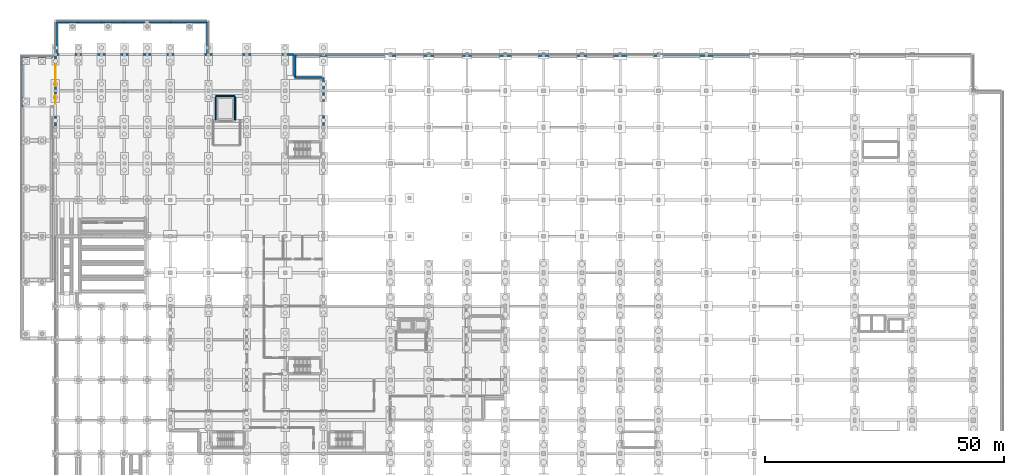
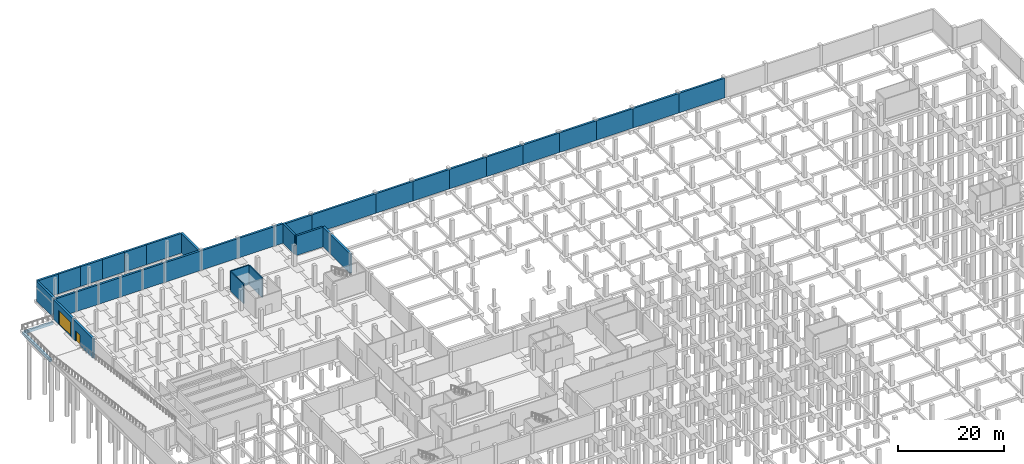
# One storey, part 38 of 50: 39 walls, 2 doors, 2 openings.
"""IFC4 building model written with IfcOpenShell, lengths in metres."""

from ifc_helpers import new_model, si_unit, direction, frame, frame_2d, origin, place, context, subcontext, project, spatial, rectangle, extrude, material, layer, layer_set, type_object, element, fill, save


model = new_model("IFC4")

# Units and contexts
model_context = context("Model", 3, precision=1e-05, world=origin(), true_north=direction((0.0, 1.0)))
body_context = subcontext(model_context, "Body", "Model", "MODEL_VIEW")
ifc_project = project(units=[si_unit("LENGTHUNIT", "METRE"), si_unit("AREAUNIT", "SQUARE_METRE"), si_unit("VOLUMEUNIT", "CUBIC_METRE"), si_unit("PLANEANGLEUNIT", "RADIAN"), si_unit("MASSUNIT", "GRAM", prefix="KILO")], contexts=[model_context])

# Site, building, storey
site_placement = place(None, origin())
site = spatial("IfcSite", under=ifc_project, at=site_placement, CompositionType="ELEMENT")
building_placement = place(site_placement, origin())
building = spatial("IfcBuilding", under=site, at=building_placement, Name="Vekula Escarpment Museum", CompositionType="ELEMENT")
storey_placement = place(building_placement, frame((0.0, 0.0, -4.800048828125)))
storey = spatial("IfcBuildingStorey", under=building, at=storey_placement, Name="B1", CompositionType="ELEMENT", Elevation=-4.800048828125)

# Walls
ifc_material_1 = material(Name="Inkisi arkosic sandstone masonry", Category="masonry")
ifc_layer_1 = layer(ifc_material_1, 0.449951171875)
ifc_layer_set_1 = layer_set([ifc_layer_1], Name="Inkisi arkosic sandstone masonry")
wall_type_1 = type_object("IfcWallType", Name="WL-PLN-450", PredefinedType="SOLIDWALL", material=ifc_layer_set_1)
for number, where, z_axis, x_axis, name in (
    (1, (146.0, 135.77490234375, 0.0), (0.0, 0.0, 1.0), (-1.0, 0.0, 0.0), "Sandstone Plinth Perimeter Wall 0050"),
    (2, (136.0, 135.77490234375, 0.0), (0.0, 0.0, 1.0), (-1.0, 0.0, 0.0), "Sandstone Plinth Perimeter Wall 0051"),
):
    element("IfcWall", number, at=place(storey_placement, frame(where, z_axis=z_axis, x_axis=x_axis)), inside=storey, type_object=wall_type_1, Name=name, PredefinedType="SOLIDWALL", context=body_context, shape_type="SweptSolid", body=[
        extrude(rectangle(XDim=10.0, YDim=0.449951171875, at=frame_2d((5.0, 0.0))), origin(), (0.0, 0.0, 1.0), 4.5),
    ])
for number, where, z_axis, x_axis, name in (
    (3, (126.0, 135.77490234375, 0.0), (0.0, 0.0, 1.0), (-1.0, 0.0, 0.0), "Sandstone Plinth Perimeter Wall 0052"),
    (4, (118.0, 135.77490234375, 0.0), (0.0, 0.0, 1.0), (-1.0, 0.0, 0.0), "Sandstone Plinth Perimeter Wall 0053"),
    (5, (110.0, 135.77490234375, 0.0), (0.0, 0.0, 1.0), (-1.0, 0.0, 0.0), "Sandstone Plinth Perimeter Wall 0054"),
    (6, (102.0, 135.77490234375, 0.0), (0.0, 0.0, 1.0), (-1.0, 0.0, 0.0), "Sandstone Plinth Perimeter Wall 0055"),
    (7, (94.0, 135.77490234375, 0.0), (0.0, 0.0, 1.0), (-1.0, 0.0, 0.0), "Sandstone Plinth Perimeter Wall 0056"),
    (8, (86.0, 135.77490234375, 0.0), (0.0, 0.0, 1.0), (-1.0, 0.0, 0.0), "Sandstone Plinth Perimeter Wall 0057"),
    (9, (78.0, 135.77490234375, 0.0), (0.0, 0.0, 1.0), (-1.0, 0.0, 0.0), "Sandstone Plinth Perimeter Wall 0058"),
):
    element("IfcWall", number, at=place(storey_placement, frame(where, z_axis=z_axis, x_axis=x_axis)), inside=storey, type_object=wall_type_1, Name=name, PredefinedType="SOLIDWALL", context=body_context, shape_type="SweptSolid", body=[
        extrude(rectangle(XDim=8.0, YDim=0.449951171875, at=frame_2d((4.0, 0.0))), origin(), (0.0, 0.0, 1.0), 4.5),
    ])
wall_1_placement = place(storey_placement, frame((70.0, 135.77490234375, 0.0), z_axis=(0.0, 0.0, 1.0), x_axis=(-1.0, 0.0, 0.0)))
element("IfcWall", 10, at=wall_1_placement, inside=storey, type_object=wall_type_1, Name="Sandstone Plinth Perimeter Wall 0059", PredefinedType="SOLIDWALL", context=body_context, shape_type="SweptSolid", body=[
    extrude(rectangle(XDim=14.0, YDim=0.449951171875, at=frame_2d((7.0, 0.0))), origin(), (0.0, 0.0, 1.0), 4.5),
])
wall_2_placement = place(storey_placement, frame((56.0, 135.77490234375, 0.0), z_axis=(0.0, 0.0, 1.0), x_axis=(-1.0, 0.0, 0.0)))
element("IfcWall", 11, at=wall_2_placement, inside=storey, type_object=wall_type_1, Name="Sandstone Plinth Perimeter Wall 0060", PredefinedType="SOLIDWALL", context=body_context, shape_type="SweptSolid", body=[
    extrude(rectangle(XDim=5.77099609375, YDim=0.449951171875, at=frame_2d((2.885498046875, 0.0))), origin(), (0.0, 0.0, 1.0), 4.5),
])
wall_3_placement = place(storey_placement, frame((31.77490234375, 136.22900390625, 0.0), z_axis=(0.0, 0.0, 1.0), x_axis=(0.0, 1.0, 0.0)))
element("IfcWall", 12, at=wall_3_placement, inside=storey, type_object=wall_type_1, Name="Sandstone Plinth Perimeter Wall 0061", PredefinedType="SOLIDWALL", context=body_context, shape_type="SweptSolid", body=[
    extrude(rectangle(XDim=6.5458984375, YDim=0.449951171875, at=frame_2d((3.27294921875, 0.0))), origin(), (0.0, 0.0, 1.0), 4.550048828125),
])
wall_4_placement = place(storey_placement, frame((31.5458984375, 142.77490234375, 0.0), z_axis=(0.0, 0.0, 1.0), x_axis=(-1.0, 0.0, 0.0)))
element("IfcWall", 13, at=wall_4_placement, inside=storey, type_object=wall_type_1, Name="Sandstone Plinth Perimeter Wall 0062", PredefinedType="SOLIDWALL", context=body_context, shape_type="SweptSolid", body=[
    extrude(rectangle(XDim=7.5458984375, YDim=0.449951171875, at=frame_2d((3.77294921875, 0.0))), origin(), (0.0, 0.0, 1.0), 4.550048828125),
])
for number, where, z_axis, x_axis, name in (
    (14, (24.0, 142.77490234375, 0.0), (0.0, 0.0, 1.0), (-1.0, 0.0, 0.0), "Sandstone Plinth Perimeter Wall 0063"),
    (15, (19.199951171875, 142.77490234375, 0.0), (0.0, 0.0, 1.0), (-1.0, 0.0, 0.0), "Sandstone Plinth Perimeter Wall 0064"),
):
    element("IfcWall", number, at=place(storey_placement, frame(where, z_axis=z_axis, x_axis=x_axis)), inside=storey, type_object=wall_type_1, Name=name, PredefinedType="SOLIDWALL", context=body_context, shape_type="SweptSolid", body=[
        extrude(rectangle(XDim=4.800048828125, YDim=0.449951171875, at=frame_2d((2.39990234375, 0.0))), origin(), (0.0, 0.0, 1.0), 4.550048828125),
    ])
wall_5_placement = place(storey_placement, frame((14.39990234375, 142.77490234375, 0.0), z_axis=(0.0, 0.0, 1.0), x_axis=(-1.0, 0.0, 0.0)))
element("IfcWall", 16, at=wall_5_placement, inside=storey, type_object=wall_type_1, Name="Sandstone Plinth Perimeter Wall 0065", PredefinedType="SOLIDWALL", context=body_context, shape_type="SweptSolid", body=[
    extrude(rectangle(XDim=4.7998046875, YDim=0.449951171875, at=frame_2d((2.39990234375, 0.0))), origin(), (0.0, 0.0, 1.0), 4.550048828125),
])
wall_6_placement = place(storey_placement, frame((9.60009765625, 142.77490234375, 0.0), z_axis=(0.0, 0.0, 1.0), x_axis=(-1.0, 0.0, 0.0)))
element("IfcWall", 17, at=wall_6_placement, inside=storey, type_object=wall_type_1, Name="Sandstone Plinth Perimeter Wall 0066", PredefinedType="SOLIDWALL", context=body_context, shape_type="SweptSolid", body=[
    extrude(rectangle(XDim=4.800048828125, YDim=0.449951171875, at=frame_2d((2.39990234375, 0.0))), origin(), (0.0, 0.0, 1.0), 4.550048828125),
])
wall_7_placement = place(storey_placement, frame((4.800048828125, 142.77490234375, 0.0), z_axis=(0.0, 0.0, 1.0), x_axis=(-1.0, 0.0, 0.0)))
element("IfcWall", 18, at=wall_7_placement, inside=storey, type_object=wall_type_1, Name="Sandstone Plinth Perimeter Wall 0067", PredefinedType="SOLIDWALL", context=body_context, shape_type="SweptSolid", body=[
    extrude(rectangle(XDim=4.574951171875, YDim=0.449951171875, at=frame_2d((2.28759765625, 0.0))), origin(), (0.0, 0.0, 1.0), 4.550048828125),
])
wall_8_placement = place(storey_placement, frame((0.22509765625, 142.5458984375, 0.0), z_axis=(0.0, 0.0, 1.0), x_axis=(0.0, -1.0, 0.0)))
element("IfcWall", 19, at=wall_8_placement, inside=storey, type_object=wall_type_1, Name="Sandstone Plinth Perimeter Wall 0068", PredefinedType="SOLIDWALL", context=body_context, shape_type="SweptSolid", body=[
    extrude(rectangle(XDim=6.31689453125, YDim=0.449951171875, at=frame_2d((3.158447265625, 0.0))), origin(), (0.0, 0.0, 1.0), 4.550048828125),
])
ifc_material_2 = material(Name="Concrete C35/45", Category="concrete")
ifc_layer_2 = layer(ifc_material_2, 0.449951171875)
ifc_layer_set_2 = layer_set([ifc_layer_2], Name="Concrete C35/45")
wall_type_2 = type_object("IfcWallType", Name="WL-RET-450", PredefinedType="USERDEFINED", material=ifc_layer_set_2)
wall_9_placement = place(storey_placement, frame((56.0, 128.39990234375, 0.0), z_axis=(0.0, 0.0, 1.0), x_axis=(0.0, -1.0, 0.0)))
element("IfcWall", 20, at=wall_9_placement, inside=storey, type_object=wall_type_2, Name="Exterior Wall WL-EXT-B1-0024", ObjectType="RETAINING WALL", PredefinedType="USERDEFINED", context=body_context, shape_type="SweptSolid", body=[
    extrude(rectangle(XDim=7.599853515625, YDim=0.449951171875, at=frame_2d((3.7998046875, 0.0))), origin(), (0.0, 0.0, 1.0), 4.5),
])
wall_10_placement = place(storey_placement, frame((56.0, 131.199951171875, 0.0), z_axis=(0.0, 0.0, 1.0), x_axis=(0.0, -1.0, 0.0)))
element("IfcWall", 21, at=wall_10_placement, inside=storey, type_object=wall_type_2, Name="Exterior Wall WL-EXT-B1-0025", ObjectType="RETAINING WALL", PredefinedType="USERDEFINED", context=body_context, shape_type="SweptSolid", body=[
    extrude(rectangle(XDim=2.800048828125, YDim=0.449951171875, at=frame_2d((1.39990234375, 0.0))), origin(), (0.0, 0.0, 1.0), 4.5),
])
wall_11_placement = place(storey_placement, frame((50.0, 131.199951171875, 0.0), z_axis=(0.0, 0.0, 1.0), x_axis=(1.0, 0.0, 0.0)))
element("IfcWall", 22, at=wall_11_placement, inside=storey, type_object=wall_type_2, Name="Exterior Wall WL-EXT-B1-0026", ObjectType="RETAINING WALL", PredefinedType="USERDEFINED", context=body_context, shape_type="SweptSolid", body=[
    extrude(rectangle(XDim=5.77099609375, YDim=0.449951171875, at=frame_2d((2.885498046875, 0.0))), origin(), (0.0, 0.0, 1.0), 4.5),
])
wall_12_placement = place(storey_placement, frame((50.0, 136.0, 0.0), z_axis=(0.0, 0.0, 1.0), x_axis=(0.0, -1.0, 0.0)))
element("IfcWall", 23, at=wall_12_placement, inside=storey, type_object=wall_type_2, Name="Exterior Wall WL-EXT-B1-0027", ObjectType="RETAINING WALL", PredefinedType="USERDEFINED", context=body_context, shape_type="SweptSolid", body=[
    extrude(rectangle(XDim=4.571044921875, YDim=0.449951171875, at=frame_2d((2.28564453125, 0.0))), origin(), (0.0, 0.0, 1.0), 4.5),
])
wall_13_placement = place(storey_placement, frame((48.0, 136.0, 0.0), z_axis=(0.0, 0.0, 1.0), x_axis=(1.0, 0.0, 0.0)))
element("IfcWall", 24, at=wall_13_placement, inside=storey, type_object=wall_type_2, Name="Exterior Wall WL-EXT-B1-0028", ObjectType="RETAINING WALL", PredefinedType="USERDEFINED", context=body_context, shape_type="SweptSolid", body=[
    extrude(rectangle(XDim=1.77099609375, YDim=0.449951171875, at=frame_2d((0.885498046875, 0.0))), origin(), (0.0, 0.0, 1.0), 4.5),
])
for number, where, z_axis, x_axis, name in (
    (25, (40.0, 136.0, 0.0), (0.0, 0.0, 1.0), (1.0, 0.0, 0.0), "Exterior Wall WL-EXT-B1-0029"),
    (26, (32.0, 136.0, 0.0), (0.0, 0.0, 1.0), (1.0, 0.0, 0.0), "Exterior Wall WL-EXT-B1-0030"),
    (27, (24.0, 136.0, 0.0), (0.0, 0.0, 1.0), (1.0, 0.0, 0.0), "Exterior Wall WL-EXT-B1-0031"),
):
    element("IfcWall", number, at=place(storey_placement, frame(where, z_axis=z_axis, x_axis=x_axis)), inside=storey, type_object=wall_type_2, Name=name, ObjectType="RETAINING WALL", PredefinedType="USERDEFINED", context=body_context, shape_type="SweptSolid", body=[
        extrude(rectangle(XDim=8.0, YDim=0.449951171875, at=frame_2d((4.0, 0.0))), origin(), (0.0, 0.0, 1.0), 4.5),
    ])
for number, where, z_axis, x_axis, name in (
    (28, (19.199951171875, 136.0, 0.0), (0.0, 0.0, 1.0), (1.0, 0.0, 0.0), "Exterior Wall WL-EXT-B1-0032"),
    (29, (14.39990234375, 136.0, 0.0), (0.0, 0.0, 1.0), (1.0, 0.0, 0.0), "Exterior Wall WL-EXT-B1-0033"),
):
    element("IfcWall", number, at=place(storey_placement, frame(where, z_axis=z_axis, x_axis=x_axis)), inside=storey, type_object=wall_type_2, Name=name, ObjectType="RETAINING WALL", PredefinedType="USERDEFINED", context=body_context, shape_type="SweptSolid", body=[
        extrude(rectangle(XDim=4.800048828125, YDim=0.449951171875, at=frame_2d((2.39990234375, 0.0))), origin(), (0.0, 0.0, 1.0), 4.5),
    ])
wall_14_placement = place(storey_placement, frame((9.60009765625, 136.0, 0.0), z_axis=(0.0, 0.0, 1.0), x_axis=(1.0, 0.0, 0.0)))
element("IfcWall", 30, at=wall_14_placement, inside=storey, type_object=wall_type_2, Name="Exterior Wall WL-EXT-B1-0034", ObjectType="RETAINING WALL", PredefinedType="USERDEFINED", context=body_context, shape_type="SweptSolid", body=[
    extrude(rectangle(XDim=4.7998046875, YDim=0.449951171875, at=frame_2d((2.39990234375, 0.0))), origin(), (0.0, 0.0, 1.0), 4.5),
])
for number, where, z_axis, x_axis, name in (
    (31, (4.800048828125, 136.0, 0.0), (0.0, 0.0, 1.0), (1.0, 0.0, 0.0), "Exterior Wall WL-EXT-B1-0035"),
    (32, (0.0, 136.0, 0.0), (0.0, 0.0, 1.0), (1.0, 0.0, 0.0), "Exterior Wall WL-EXT-B1-0036"),
):
    element("IfcWall", number, at=place(storey_placement, frame(where, z_axis=z_axis, x_axis=x_axis)), inside=storey, type_object=wall_type_2, Name=name, ObjectType="RETAINING WALL", PredefinedType="USERDEFINED", context=body_context, shape_type="SweptSolid", body=[
        extrude(rectangle(XDim=4.800048828125, YDim=0.449951171875, at=frame_2d((2.39990234375, 0.0))), origin(), (0.0, 0.0, 1.0), 4.5),
    ])

# Wall, opening, door
wall_15_placement = place(storey_placement, frame((0.0, 128.39990234375, 0.0), z_axis=(0.0, 0.0, 1.0), x_axis=(0.0, 1.0, 0.0)))
wall_15 = element("IfcWall", 33, at=wall_15_placement, inside=storey, type_object=wall_type_2, Name="Exterior Wall WL-EXT-B1-0037", ObjectType="RETAINING WALL", PredefinedType="USERDEFINED", context=body_context, shape_type="SweptSolid", body=[
    extrude(rectangle(XDim=7.37109375, YDim=0.449951171875, at=frame_2d((3.685546875, 0.0))), origin(), (0.0, 0.0, 1.0), 4.5),
])
opening_1_placement = place(wall_15_placement, frame((0.949951171875, 0.0, 0.0)))
opening_1 = element("IfcOpeningElement", 34, at=opening_1_placement, cuts=wall_15, Name="Opening D-VP01", PredefinedType="OPENING", context=body_context, shape_type="SweptSolid", body=[
    extrude(rectangle(XDim=4.5, YDim=3.199951171875, at=frame_2d((2.25, 1.60009765625))), frame((0.0, 0.23486328125, 0.0), z_axis=(0.0, -1.0, 0.0), x_axis=(1.0, 0.0, 0.0)), (0.0, 0.0, 1.0), 0.469970703125),
])
ifc_material_3 = material(Name="Perforated aluminium vehicle portal shutter", Category="aluminium")
door_type_1 = type_object("IfcDoorType", Name="DR-PORTAL-4500", OperationType="ROLLINGUP", PredefinedType="DOOR", material=ifc_material_3)
door_1_placement = place(opening_1_placement, origin())
door_1 = element("IfcDoor", 35, at=door_1_placement, inside=storey, type_object=door_type_1, Name="Car Park Vehicle Portal Gate D-VP01", OperationType="ROLLINGUP", OverallHeight=3.199951171875, OverallWidth=4.5, PredefinedType="DOOR", context=body_context, shape_type="SweptSolid", body=[
    extrude(rectangle(XDim=4.5, YDim=3.199951171875, at=frame_2d((2.25, 1.60009765625))), frame((0.0, 0.02490234375, 0.0), z_axis=(0.0, -1.0, 0.0), x_axis=(1.0, 0.0, 0.0)), (0.0, 0.0, 1.0), 0.050048828125),
])
fill(opening_1, door_1)

wall_16_placement = place(storey_placement, frame((0.0, 120.800048828125, 0.0), z_axis=(0.0, 0.0, 1.0), x_axis=(0.0, 1.0, 0.0)))
wall_16 = element("IfcWall", 36, at=wall_16_placement, inside=storey, type_object=wall_type_2, Name="Exterior Wall WL-EXT-B1-0038", ObjectType="RETAINING WALL", PredefinedType="USERDEFINED", context=body_context, shape_type="SweptSolid", body=[
    extrude(rectangle(XDim=7.599853515625, YDim=0.449951171875, at=frame_2d((3.7998046875, 0.0))), origin(), (0.0, 0.0, 1.0), 4.5),
])
opening_2_placement = place(wall_16_placement, frame((4.89990234375, 0.0, 0.0)))
opening_2 = element("IfcOpeningElement", 37, at=opening_2_placement, cuts=wall_16, Name="Opening D-EX00", PredefinedType="OPENING", context=body_context, shape_type="SweptSolid", body=[
    extrude(rectangle(XDim=1.800048828125, YDim=2.39990234375, at=frame_2d((0.89990234375, 1.199951171875))), frame((0.0, 0.23486328125, 0.0), z_axis=(0.0, -1.0, 0.0), x_axis=(1.0, 0.0, 0.0)), (0.0, 0.0, 1.0), 0.469970703125),
])
ifc_material_4 = material(Name="Powder-coated steel exit door", Category="steel")
door_type_2 = type_object("IfcDoorType", Name="DR-EX-1800x2400", OperationType="NOTDEFINED", PredefinedType="DOOR", material=ifc_material_4)
door_2_placement = place(opening_2_placement, origin())
door_2 = element("IfcDoor", 38, at=door_2_placement, inside=storey, type_object=door_type_2, Name="Basement Ramp Apron Exit Door D-EX00", OperationType="SINGLE_SWING_LEFT", OverallHeight=2.39990234375, OverallWidth=1.800048828125, PredefinedType="DOOR", context=body_context, shape_type="SweptSolid", body=[
    extrude(rectangle(XDim=1.800048828125, YDim=2.39990234375, at=frame_2d((0.89990234375, 1.199951171875))), frame((0.0, 0.02490234375, 0.0), z_axis=(0.0, -1.0, 0.0), x_axis=(1.0, 0.0, 0.0)), (0.0, 0.0, 1.0), 0.050048828125),
])
fill(opening_2, door_2)

# Walls
wall_17_placement = place(storey_placement, frame((-6.97509765625, 125.0, -0.89990234375), z_axis=(0.0, 0.0, 1.0), x_axis=(0.0, 1.0, 0.0)))
element("IfcWall", 39, at=wall_17_placement, inside=storey, type_object=wall_type_2, Name="Vehicle Ramp Retaining Wall RMP-DRV-W", ObjectType="RETAINING WALL", PredefinedType="USERDEFINED", context=body_context, shape_type="SweptSolid", body=[
    extrude(rectangle(XDim=10.574951171875, YDim=0.449951171875, at=frame_2d((5.28759765625, 0.0))), origin(), (0.0, 0.0, 1.0), 0.599853515625),
])
wall_18_placement = place(storey_placement, frame((-6.75, 135.574951171875, -0.89990234375), z_axis=(0.0, 0.0, 1.0), x_axis=(1.0, 0.0, 0.0)))
element("IfcWall", 40, at=wall_18_placement, inside=storey, type_object=wall_type_2, Name="Vehicle Ramp Retaining Wall RMP-DRV-N", ObjectType="RETAINING WALL", PredefinedType="USERDEFINED", context=body_context, shape_type="SweptSolid", body=[
    extrude(rectangle(XDim=6.300048828125, YDim=0.449951171875, at=frame_2d((3.14990234375, 0.0))), origin(), (0.0, 0.0, 1.0), 0.599853515625),
])
ifc_material_5 = material(Name="Concrete C35/45", Category="concrete")
ifc_layer_3 = layer(ifc_material_5, 0.239990234375)
ifc_layer_set_3 = layer_set([ifc_layer_3], Name="Concrete C35/45")
wall_type_3 = type_object("IfcWallType", Name="WL-SHF-240", PredefinedType="SHEAR", material=ifc_layer_set_3)
wall_19_placement = place(storey_placement, frame((33.47998046875, 127.320068359375, 0.0), z_axis=(0.0, 0.0, 1.0), x_axis=(1.0, 0.0, 0.0)))
element("IfcWall", 41, at=wall_19_placement, inside=storey, type_object=wall_type_3, Name="Lift Shaft Wall GL-01 B1 N", PredefinedType="SHEAR", context=body_context, shape_type="SweptSolid", body=[
    extrude(rectangle(XDim=4.0400390625, YDim=0.239990234375, at=frame_2d((2.02001953125, 0.0))), origin(), (0.0, 0.0, 1.0), 4.5),
])
for number, where, z_axis, x_axis, name in (
    (42, (33.47998046875, 122.2041015625, 0.0), (0.0, 0.0, 1.0), (0.0, 1.0, 0.0), "Lift Shaft Wall GL-01 B1 W"),
    (43, (37.52001953125, 122.2041015625, 0.0), (0.0, 0.0, 1.0), (0.0, 1.0, 0.0), "Lift Shaft Wall GL-01 B1 E"),
):
    element("IfcWall", number, at=place(storey_placement, frame(where, z_axis=z_axis, x_axis=x_axis)), inside=storey, type_object=wall_type_3, Name=name, PredefinedType="SHEAR", context=body_context, shape_type="SweptSolid", body=[
        extrude(rectangle(XDim=4.991943359375, YDim=0.239990234375, at=frame_2d((2.49609375, 0.0))), origin(), (0.0, 0.0, 1.0), 4.5),
    ])

save(model, "model.ifc")
